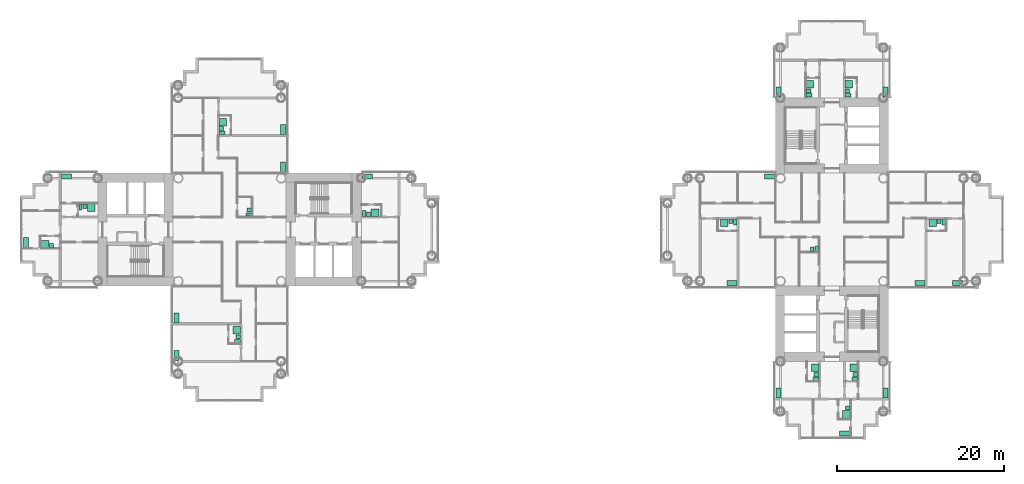
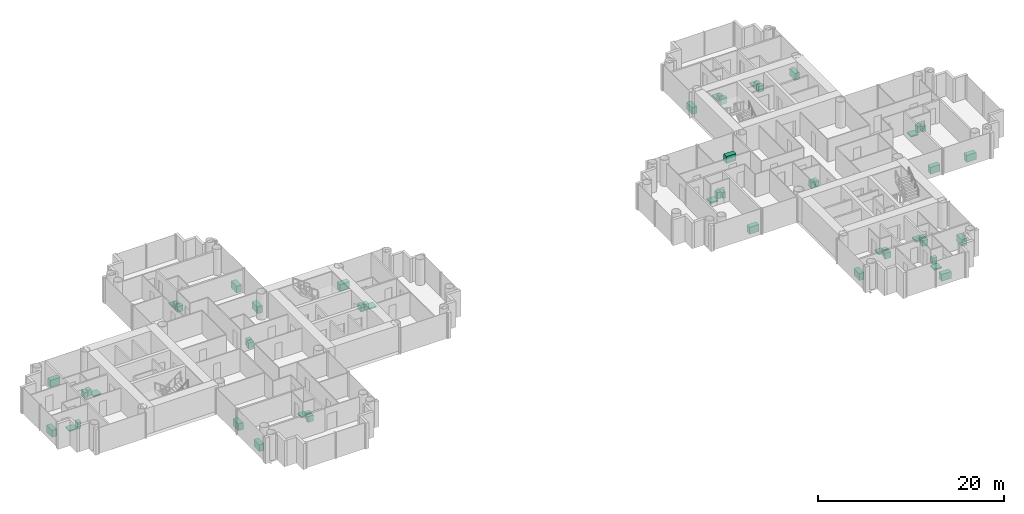
# One storey, part 21 of 21: 54 sanitary terminals.
"""IFC4 building model written with IfcOpenShell, lengths in metres."""

from ifc_helpers import new_model, si_unit, direction, frame, origin, origin_2d, place, context, subcontext, project, spatial, rectangle, extrude, material, type_object, element, save


model = new_model("IFC4")

# Units and contexts
model_context = context("Model", 3, precision=1e-05, world=origin(), true_north=direction((0.0, 1.0)))
body_context = subcontext(model_context, "Body", "Model", "MODEL_VIEW")
ifc_project = project(units=[si_unit("LENGTHUNIT", "METRE"), si_unit("AREAUNIT", "SQUARE_METRE"), si_unit("VOLUMEUNIT", "CUBIC_METRE"), si_unit("PLANEANGLEUNIT", "RADIAN"), si_unit("MASSUNIT", "GRAM", prefix="KILO")], contexts=[model_context])

# Site, building, storey
site_placement = place(None, origin())
site = spatial("IfcSite", under=ifc_project, at=site_placement, CompositionType="ELEMENT")
building_placement = place(site_placement, origin())
building = spatial("IfcBuilding", under=site, at=building_placement, Name="Ipe Terrace Towers", CompositionType="ELEMENT")
storey_placement = place(building_placement, frame((0.0, 0.0, 48.300048828125)))
storey = spatial("IfcBuildingStorey", under=building, at=storey_placement, Name="L12", CompositionType="ELEMENT", Elevation=48.300048828125)

# Sanitary terminals
ifc_material_1 = material(Name="Stainless sink unit", Category="metal")
sanitary_terminal_type_1 = type_object("IfcSanitaryTerminalType", Name="Kitchen sink unit", PredefinedType="SINK", material=ifc_material_1)
for number, where, z_axis, x_axis, name in (
    (1, (-29.6201171875, 7.469970703125, 0.0), (0.0, 0.0, 1.0), (0.0, -1.0, 0.0), "Kitchen sink unit"),
    (2, (-29.6201171875, 11.969970703125, 0.0), (0.0, 0.0, 1.0), (0.0, -1.0, 0.0), "Kitchen sink unit"),
    (3, (-42.3798828125, -10.530029296875, 0.0), (0.0, 0.0, 1.0), (0.0, 1.0, 0.0), "Kitchen sink unit"),
    (4, (-42.3798828125, -15.030029296875, 0.0), (0.0, 0.0, 1.0), (0.0, 1.0, 0.0), "Kitchen sink unit"),
    (5, (-19.530029296875, 6.3798828125, 0.0), (0.0, 0.0, 1.0), (1.0, 0.0, 0.0), "Kitchen sink unit"),
    (6, (-55.530029296875, 6.3798828125, 0.0), (0.0, 0.0, 1.0), (1.0, 0.0, 0.0), "Kitchen sink unit"),
    (7, (-60.3798828125, -1.530029296875, 0.0), (0.0, 0.0, 1.0), (0.0, 1.0, 0.0), "Kitchen sink unit"),
    (8, (24.030029296875, -6.3798828125, 0.0), (0.0, 0.0, 1.0), (-1.0, 0.0, 0.0), "Kitchen sink unit"),
    (9, (28.530029296875, 6.3798828125, 0.0), (0.0, 0.0, 1.0), (1.0, 0.0, 0.0), "Kitchen sink unit"),
    (10, (46.530029296875, -6.3798828125, 0.0), (0.0, 0.0, 1.0), (-1.0, 0.0, 0.0), "Kitchen sink unit"),
    (11, (51.030029296875, -6.3798828125, 0.0), (0.0, 0.0, 1.0), (-1.0, 0.0, 0.0), "Kitchen sink unit"),
    (12, (29.6201171875, 16.469970703125, 0.0), (0.0, 0.0, 1.0), (0.0, 1.0, 0.0), "Kitchen sink unit"),
    (13, (42.3798828125, 16.469970703125, 0.0), (0.0, 0.0, 1.0), (0.0, -1.0, 0.0), "Kitchen sink unit"),
    (14, (42.3798828125, -19.530029296875, 0.0), (0.0, 0.0, 1.0), (0.0, -1.0, 0.0), "Kitchen sink unit"),
    (15, (29.6201171875, -19.530029296875, 0.0), (0.0, 0.0, 1.0), (0.0, 1.0, 0.0), "Kitchen sink unit"),
    (16, (37.530029296875, -24.3798828125, 0.0), (0.0, 0.0, 1.0), (-1.0, 0.0, 0.0), "Kitchen sink unit"),
):
    element("IfcSanitaryTerminal", number, at=place(storey_placement, frame(where, z_axis=z_axis, x_axis=x_axis)), inside=storey, type_object=sanitary_terminal_type_1, Name=name, PredefinedType="SINK", context=body_context, shape_type="SweptSolid", body=[
        extrude(rectangle(XDim=1.199951171875, YDim=0.60009765625, at=origin_2d()), origin(), (0.0, 0.0, 1.0), 0.89990234375),
    ])
ifc_material_2 = material(Name="Acrylic", Category="plastic")
sanitary_terminal_type_2 = type_object("IfcSanitaryTerminalType", Name="Shower tray", PredefinedType="SHOWER", material=ifc_material_2)
for number, where, z_axis, x_axis, name in (
    (17, (-36.830078125, 12.8701171875, 0.0), (0.0, 0.0, 1.0), (1.0, 0.0, 0.0), "Shower tray"),
    (18, (-35.169921875, -12.030029296875, 0.0), (0.0, 0.0, 1.0), (-1.0, 0.0, 0.0), "Shower tray"),
    (19, (-18.6298828125, 2.02001953125, 0.0), (0.0, 0.0, 1.0), (0.0, 1.0, 0.0), "Shower tray"),
    (20, (-52.530029296875, 2.6298828125, 0.0), (0.0, 0.0, 1.0), (0.0, -1.0, 0.0), "Shower tray"),
    (21, (-58.080078125, -1.72998046875, 0.0), (0.0, 0.0, 1.0), (0.0, 1.0, 0.0), "Shower tray"),
    (22, (23.1298828125, 0.830078125, 0.0), (0.0, 0.0, 1.0), (0.0, -1.0, 0.0), "Shower tray"),
    (23, (48.030029296875, 0.830078125, 0.0), (0.0, 0.0, 1.0), (0.0, -1.0, 0.0), "Shower tray"),
    (24, (33.3701171875, 17.3701171875, 0.0), (0.0, 0.0, 1.0), (1.0, 0.0, 0.0), "Shower tray"),
    (25, (38.02001953125, 17.3701171875, 0.0), (0.0, 0.0, 1.0), (1.0, 0.0, 0.0), "Shower tray"),
    (26, (38.6298828125, -16.530029296875, 0.0), (0.0, 0.0, 1.0), (-1.0, 0.0, 0.0), "Shower tray"),
    (27, (33.97998046875, -16.530029296875, 0.0), (0.0, 0.0, 1.0), (-1.0, 0.0, 0.0), "Shower tray"),
    (28, (37.72998046875, -22.080078125, 0.0), (0.0, 0.0, 1.0), (-1.0, 0.0, 0.0), "Shower tray"),
):
    element("IfcSanitaryTerminal", number, at=place(storey_placement, frame(where, z_axis=z_axis, x_axis=x_axis)), inside=storey, type_object=sanitary_terminal_type_2, Name=name, PredefinedType="SHOWER", context=body_context, shape_type="SweptSolid", body=[
        extrude(rectangle(XDim=0.89990234375, YDim=0.89990234375, at=origin_2d()), origin(), (0.0, 0.0, 1.0), 0.14990234375),
    ])
ifc_material_3 = material(Name="Vitreous china", Category="ceramic")
sanitary_terminal_type_3 = type_object("IfcSanitaryTerminalType", Name="Wash basin", PredefinedType="WASHHANDBASIN", material=ifc_material_3)
for number, where, z_axis, x_axis, name in (
    (29, (-33.64501953125, 2.344970703125, 0.0), (0.0, 0.0, 1.0), (-1.0, 0.0, 0.0), "Wash basin"),
    (30, (-37.0048828125, 12.094970703125, 0.0), (0.0, 0.0, 1.0), (1.0, 0.0, 0.0), "Wash basin"),
    (31, (-34.9951171875, -12.804931640625, 0.0), (0.0, 0.0, 1.0), (-1.0, 0.0, 0.0), "Wash basin"),
    (32, (-19.405029296875, 1.844970703125, 0.0), (0.0, 0.0, 1.0), (0.0, 1.0, 0.0), "Wash basin"),
    (33, (-53.304931640625, 2.804931640625, 0.0), (0.0, 0.0, 1.0), (0.0, -1.0, 0.0), "Wash basin"),
    (34, (-57.304931640625, -1.905029296875, 0.0), (0.0, 0.0, 1.0), (0.0, 1.0, 0.0), "Wash basin"),
    (35, (33.655029296875, -2.35498046875, 0.0), (0.0, 0.0, 1.0), (0.0, 1.0, 0.0), "Wash basin"),
    (36, (23.905029296875, 1.0048828125, 0.0), (0.0, 0.0, 1.0), (0.0, -1.0, 0.0), "Wash basin"),
    (37, (48.804931640625, 1.0048828125, 0.0), (0.0, 0.0, 1.0), (0.0, -1.0, 0.0), "Wash basin"),
    (38, (33.195068359375, 16.594970703125, 0.0), (0.0, 0.0, 1.0), (1.0, 0.0, 0.0), "Wash basin"),
    (39, (37.844970703125, 16.594970703125, 0.0), (0.0, 0.0, 1.0), (1.0, 0.0, 0.0), "Wash basin"),
    (40, (38.804931640625, -17.304931640625, 0.0), (0.0, 0.0, 1.0), (-1.0, 0.0, 0.0), "Wash basin"),
    (41, (34.155029296875, -17.304931640625, 0.0), (0.0, 0.0, 1.0), (-1.0, 0.0, 0.0), "Wash basin"),
    (42, (37.905029296875, -21.304931640625, 0.0), (0.0, 0.0, 1.0), (-1.0, 0.0, 0.0), "Wash basin"),
):
    element("IfcSanitaryTerminal", number, at=place(storey_placement, frame(where, z_axis=z_axis, x_axis=x_axis)), inside=storey, type_object=sanitary_terminal_type_3, Name=name, PredefinedType="WASHHANDBASIN", context=body_context, shape_type="SweptSolid", body=[
        extrude(rectangle(XDim=0.550048828125, YDim=0.449951171875, at=origin_2d()), origin(), (0.0, 0.0, 1.0), 0.85009765625),
    ])
ifc_material_4 = material(Name="Vitreous china", Category="ceramic")
sanitary_terminal_type_4 = type_object("IfcSanitaryTerminalType", Name="Water closet", PredefinedType="TOILETPAN", material=ifc_material_4)
for number, where, z_axis, x_axis, name in (
    (43, (-33.719970703125, 1.820068359375, 0.0), (0.0, 0.0, 1.0), (-1.0, 0.0, 0.0), "Water closet"),
    (44, (-36.929931640625, 11.570068359375, 0.0), (0.0, 0.0, 1.0), (1.0, 0.0, 0.0), "Water closet"),
    (45, (-35.070068359375, -13.330078125, 0.0), (0.0, 0.0, 1.0), (-1.0, 0.0, 0.0), "Water closet"),
    (46, (-19.929931640625, 1.919921875, 0.0), (0.0, 0.0, 1.0), (0.0, 1.0, 0.0), "Water closet"),
    (47, (-53.830078125, 2.72998046875, 0.0), (0.0, 0.0, 1.0), (0.0, -1.0, 0.0), "Water closet"),
    (48, (34.179931640625, -2.280029296875, 0.0), (0.0, 0.0, 1.0), (0.0, 1.0, 0.0), "Water closet"),
    (49, (24.429931640625, 0.929931640625, 0.0), (0.0, 0.0, 1.0), (0.0, -1.0, 0.0), "Water closet"),
    (50, (49.330078125, 0.929931640625, 0.0), (0.0, 0.0, 1.0), (0.0, -1.0, 0.0), "Water closet"),
    (51, (33.27001953125, 16.070068359375, 0.0), (0.0, 0.0, 1.0), (1.0, 0.0, 0.0), "Water closet"),
    (52, (37.919921875, 16.070068359375, 0.0), (0.0, 0.0, 1.0), (1.0, 0.0, 0.0), "Water closet"),
    (53, (38.72998046875, -17.830078125, 0.0), (0.0, 0.0, 1.0), (-1.0, 0.0, 0.0), "Water closet"),
    (54, (34.080078125, -17.830078125, 0.0), (0.0, 0.0, 1.0), (-1.0, 0.0, 0.0), "Water closet"),
):
    element("IfcSanitaryTerminal", number, at=place(storey_placement, frame(where, z_axis=z_axis, x_axis=x_axis)), inside=storey, type_object=sanitary_terminal_type_4, Name=name, PredefinedType="TOILETPAN", context=body_context, shape_type="SweptSolid", body=[
        extrude(rectangle(XDim=0.699951171875, YDim=0.39990234375, at=origin_2d()), origin(), (0.0, 0.0, 1.0), 0.780029296875),
    ])

save(model, "model.ifc")
